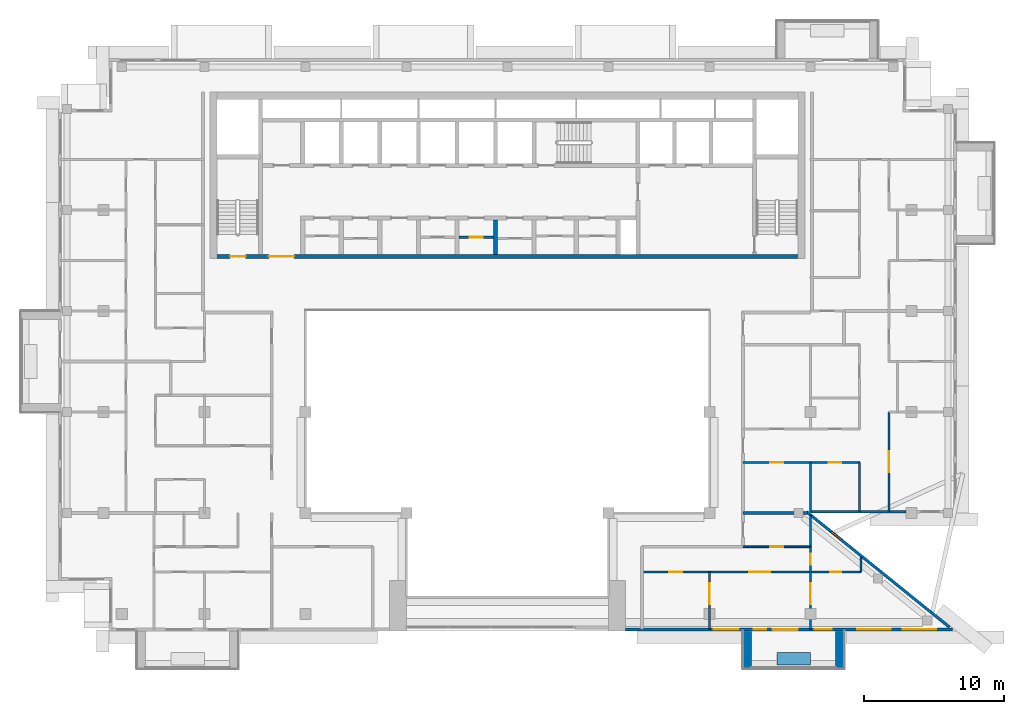
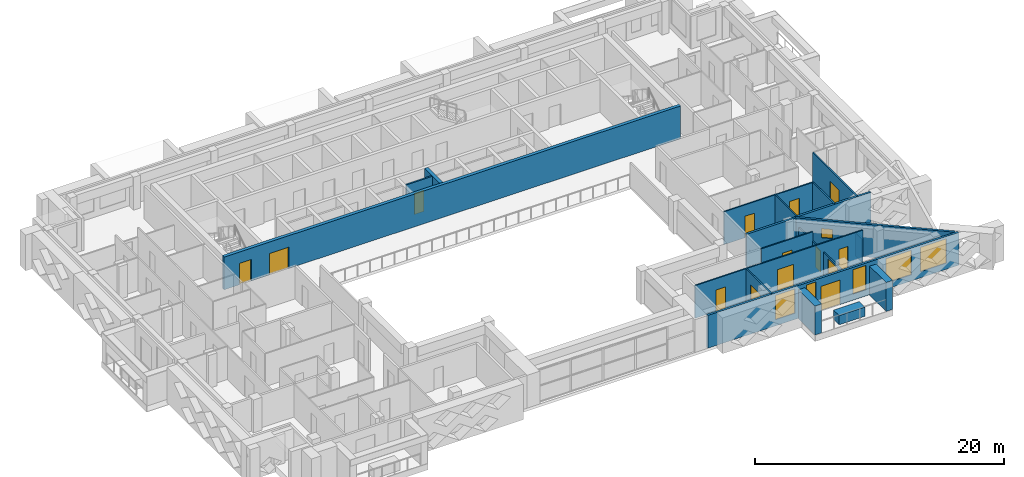
# One storey, part 8 of 19: 19 walls, 14 doors, 6 windows, 20 openings.
"""IFC4 building model written with IfcOpenShell, lengths in metres."""

from ifc_helpers import new_model, si_unit, direction, frame, frame_2d, origin, place, context, subcontext, project, spatial, rectangle, extrude, material, layer, layer_set, type_object, element, fill, save


model = new_model("IFC4")

# Units and contexts
model_context = context("Model", 3, precision=1e-05, world=origin(), true_north=direction((0.0, 1.0)))
body_context = subcontext(model_context, "Body", "Model", "MODEL_VIEW")
ifc_project = project(units=[si_unit("LENGTHUNIT", "METRE"), si_unit("AREAUNIT", "SQUARE_METRE"), si_unit("VOLUMEUNIT", "CUBIC_METRE"), si_unit("PLANEANGLEUNIT", "RADIAN"), si_unit("MASSUNIT", "GRAM", prefix="KILO")], contexts=[model_context])

# Site, building, storey
site_placement = place(None, origin())
site = spatial("IfcSite", under=ifc_project, at=site_placement, CompositionType="ELEMENT")
building_placement = place(site_placement, origin())
building = spatial("IfcBuilding", under=site, at=building_placement, Name="Saffron Iwan Residences", CompositionType="ELEMENT")
storey_placement = place(building_placement, frame((0.0, 0.0, 236.0)))
storey = spatial("IfcBuildingStorey", under=building, at=storey_placement, Name="L63", CompositionType="ELEMENT", Elevation=236.0)

# Walls
ifc_material_1 = material(Name="Concrete C50/60 white painted", Category="concrete")
ifc_layer_1 = layer(ifc_material_1, 0.60009765625)
ifc_layer_set_1 = layer_set([ifc_layer_1], Name="Concrete C50/60 white painted")
wall_type_1 = type_object("IfcWallType", Name="BALCONY FIN 600", PredefinedType="SOLIDWALL", material=ifc_layer_set_1)
for number, where, z_axis, x_axis, name in (
    (1, (67.5, 39.550048828125, 0.0), (0.0, 0.0, 1.0), (0.0, -1.0, 0.0), "Balcony fin L63 11-1a"),
    (2, (74.10009765625, 39.550048828125, 0.0), (0.0, 0.0, 1.0), (0.0, -1.0, 0.0), "Balcony fin L63 11-1b"),
):
    element("IfcWall", number, at=place(storey_placement, frame(where, z_axis=z_axis, x_axis=x_axis)), inside=storey, type_object=wall_type_1, Name=name, PredefinedType="SOLIDWALL", context=body_context, shape_type="SweptSolid", body=[
        extrude(rectangle(XDim=2.650146484375, YDim=0.60009765625, at=frame_2d((1.3251953125, 0.0))), origin(), (0.0, 0.0, 1.0), 2.85009765625),
    ])
ifc_material_2 = material(Name="Concrete C35/45 white painted", Category="concrete")
ifc_layer_2 = layer(ifc_material_2, 0.14990234375)
ifc_layer_set_2 = layer_set([ifc_layer_2], Name="Concrete C35/45 white painted")
wall_type_2 = type_object("IfcWallType", Name="BALCONY PLANTER", PredefinedType="SOLIDWALL", material=ifc_layer_set_2)
wall_1_placement = place(storey_placement, frame((69.60009765625, 37.625, 0.0), z_axis=(0.0, 0.0, 1.0), x_axis=(1.0, 0.0, 0.0)))
element("IfcWall", 3, at=wall_1_placement, inside=storey, type_object=wall_type_2, Name="PLANTER L63 11-1", PredefinedType="SOLIDWALL", context=body_context, shape_type="SweptSolid", body=[
    extrude(rectangle(XDim=2.39990234375, YDim=0.89990234375, at=frame_2d((1.199951171875, 0.0))), origin(), (0.0, 0.0, 1.0), 0.89990234375),
])

# Wall, opening, door
ifc_material_3 = material(Name="Fire-rated plasterboard partition")
ifc_layer_3 = layer(ifc_material_3, 0.14990234375)
ifc_layer_set_3 = layer_set([ifc_layer_3], Name="Fire-rated plasterboard partition")
wall_type_3 = type_object("IfcWallType", Name="Core partition 150", PredefinedType="PARTITIONING", material=ifc_layer_set_3)
wall_2_placement = place(storey_placement, frame((46.949951171875, 67.66259765625, 0.0), z_axis=(0.0, 0.0, 1.0), x_axis=(1.0, 0.0, 0.0)))
wall_2 = element("IfcWall", 4, at=wall_2_placement, inside=storey, type_object=wall_type_3, Name="Core partition P04", PredefinedType="PARTITIONING", context=body_context, shape_type="SweptSolid", body=[
    extrude(rectangle(XDim=2.449951171875, YDim=0.14990234375, at=frame_2d((1.22509765625, 0.0))), origin(), (0.0, 0.0, 1.0), 3.219970703125),
])
opening_1_placement = place(wall_2_placement, frame((0.77490234375, 0.0, 0.0)))
opening_1 = element("IfcOpeningElement", 5, at=opening_1_placement, cuts=wall_2, Name="Opening SB", PredefinedType="OPENING", context=body_context, shape_type="SweptSolid", body=[
    extrude(rectangle(XDim=0.89990234375, YDim=2.10009765625, at=frame_2d((0.449951171875, 1.050048828125))), frame((0.0, 0.0849609375, 0.0), z_axis=(0.0, -1.0, 0.0), x_axis=(1.0, 0.0, 0.0)), (0.0, 0.0, 1.0), 0.169921875),
])
ifc_material_4 = material(Name="Steel fire door", Category="steel")
door_type_1 = type_object("IfcDoorType", Name="Store door 900", OperationType="NOTDEFINED", PredefinedType="DOOR", material=ifc_material_4)
door_1_placement = place(opening_1_placement, origin())
door_1 = element("IfcDoor", 6, at=door_1_placement, inside=storey, type_object=door_type_1, Name="Door Mop store", OperationType="SINGLE_SWING_RIGHT", OverallHeight=2.10009765625, OverallWidth=0.89990234375, PredefinedType="DOOR", context=body_context, shape_type="SweptSolid", body=[
    extrude(rectangle(XDim=0.89990234375, YDim=2.10009765625, at=frame_2d((0.449951171875, 1.050048828125))), frame((0.0, 0.02490234375, 0.0), z_axis=(0.0, -1.0, 0.0), x_axis=(1.0, 0.0, 0.0)), (0.0, 0.0, 1.0), 0.050048828125),
])
fill(opening_1, door_1)

# Wall, opening, window
ifc_material_5 = material(Name="Concrete C40/50", Category="concrete")
ifc_layer_4 = layer(ifc_material_5, 0.199951171875)
ifc_layer_set_4 = layer_set([ifc_layer_4], Name="Concrete C40/50")
wall_type_4 = type_object("IfcWallType", Name="EXTERNAL WALL 200", PredefinedType="SOLIDWALL", material=ifc_layer_set_4)
wall_3_placement = place(storey_placement, frame((81.906982421875, 39.86962890625, 0.0), z_axis=(0.0, 0.0, 1.0), x_axis=(-0.777936274417, 0.62834318087, 0.0)))
wall_3 = element("IfcWall", 7, at=wall_3_placement, inside=storey, type_object=wall_type_4, Name="External wall L63 F0.0", PredefinedType="SOLIDWALL", context=body_context, shape_type="SweptSolid", body=[
    extrude(rectangle(XDim=13.0986328125, YDim=0.199951171875, at=frame_2d((6.54931640625, 0.0))), origin(), (0.0, 0.0, 1.0), 3.219970703125),
])
opening_2_placement = place(wall_3_placement, frame((9.9384765625, 0.0, 1.5)))
opening_2 = element("IfcOpeningElement", 8, at=opening_2_placement, cuts=wall_3, Name="Opening W6", PredefinedType="OPENING", context=body_context, shape_type="SweptSolid", body=[
    extrude(rectangle(XDim=0.89990234375, YDim=0.89990234375, at=frame_2d((0.449951171875, 0.449951171875))), frame((0.0, 0.10986328125, 0.0), z_axis=(0.0, -1.0, 0.0), x_axis=(1.0, 0.0, 0.0)), (0.0, 0.0, 1.0), 0.219970703125),
])
ifc_material_6 = material(Name="Clear glass, laminated double glazed", Category="glass")
window_type_1 = type_object("IfcWindowType", Name="WINDOW 900 x 900 BATH", PartitioningType="SINGLE_PANEL", PredefinedType="WINDOW", material=ifc_material_6)
window_1_placement = place(opening_2_placement, origin())
window_1 = element("IfcWindow", 9, at=window_1_placement, inside=storey, type_object=window_type_1, Name="Window L63 F0.0", OverallHeight=0.89990234375, OverallWidth=0.89990234375, PartitioningType="SINGLE_PANEL", PredefinedType="WINDOW", context=body_context, shape_type="SweptSolid", body=[
    extrude(rectangle(XDim=0.89990234375, YDim=0.89990234375, at=frame_2d((0.449951171875, 0.449951171875))), frame((0.0, 0.030029296875, 0.0), z_axis=(0.0, -1.0, 0.0), x_axis=(1.0, 0.0, 0.0)), (0.0, 0.0, 1.0), 0.06005859375),
])
fill(opening_2, window_1)

# Wall
wall_4_placement = place(storey_placement, frame((71.987060546875, 48.10009765625, 0.0), z_axis=(0.0, 0.0, 1.0), x_axis=(1.0, 0.0, 0.0)))
element("IfcWall", 10, at=wall_4_placement, inside=storey, type_object=wall_type_4, Name="External wall L63 F1.0", PredefinedType="SOLIDWALL", context=body_context, shape_type="SweptSolid", body=[
    extrude(rectangle(XDim=6.81298828125, YDim=0.199951171875, at=frame_2d((3.406494140625, 0.0))), origin(), (0.0, 0.0, 1.0), 3.219970703125),
])

# Wall, openings, door, windows
wall_5_placement = place(storey_placement, frame((58.800048828125, 39.699951171875, 0.0), z_axis=(0.0, 0.0, 1.0), x_axis=(1.0, 0.0, 0.0)))
wall_5 = element("IfcWall", 11, at=wall_5_placement, inside=storey, type_object=wall_type_4, Name="External wall L63 F11.1", PredefinedType="SOLIDWALL", context=body_context, shape_type="SweptSolid", body=[
    extrude(rectangle(XDim=23.31689453125, YDim=0.199951171875, at=frame_2d((11.658447265625, 0.0))), origin(), (0.0, 0.0, 1.0), 3.219970703125),
])
opening_3_placement = place(wall_5_placement, frame((10.5, 0.0, 0.0)))
opening_3 = element("IfcOpeningElement", 12, at=opening_3_placement, cuts=wall_5, Name="Opening BD1", PredefinedType="OPENING", context=body_context, shape_type="SweptSolid", body=[
    extrude(rectangle(XDim=1.800048828125, YDim=2.39990234375, at=frame_2d((0.89990234375, 1.199951171875))), frame((0.0, 0.10986328125, 0.0), z_axis=(0.0, -1.0, 0.0), x_axis=(1.0, 0.0, 0.0)), (0.0, 0.0, 1.0), 0.219970703125),
])
opening_4_placement = place(wall_5_placement, frame((6.300048828125, 0.0, 0.60009765625)))
opening_4 = element("IfcOpeningElement", 13, at=opening_4_placement, cuts=wall_5, Name="Opening W8", PredefinedType="OPENING", context=body_context, shape_type="SweptSolid", body=[
    extrude(rectangle(XDim=1.800048828125, YDim=2.39990234375, at=frame_2d((0.89990234375, 1.199951171875))), frame((0.0, 0.10986328125, 0.0), z_axis=(0.0, -1.0, 0.0), x_axis=(1.0, 0.0, 0.0)), (0.0, 0.0, 1.0), 0.219970703125),
])
opening_5_placement = place(wall_5_placement, frame((9.14990234375, 0.0, 0.60009765625)))
opening_5 = element("IfcOpeningElement", 14, at=opening_5_placement, cuts=wall_5, Name="Opening W10", PredefinedType="OPENING", context=body_context, shape_type="SweptSolid", body=[
    extrude(rectangle(XDim=0.89990234375, YDim=2.39990234375, at=frame_2d((0.449951171875, 1.199951171875))), frame((0.0, 0.10986328125, 0.0), z_axis=(0.0, -1.0, 0.0), x_axis=(1.0, 0.0, 0.0)), (0.0, 0.0, 1.0), 0.219970703125),
])
opening_6_placement = place(wall_5_placement, frame((13.5, 0.0, 0.60009765625)))
opening_6 = element("IfcOpeningElement", 15, at=opening_6_placement, cuts=wall_5, Name="Opening W3", PredefinedType="OPENING", context=body_context, shape_type="SweptSolid", body=[
    extrude(rectangle(XDim=1.199951171875, YDim=2.39990234375, at=frame_2d((0.60009765625, 1.199951171875))), frame((0.0, 0.10986328125, 0.0), z_axis=(0.0, -1.0, 0.0), x_axis=(1.0, 0.0, 0.0)), (0.0, 0.0, 1.0), 0.219970703125),
])
opening_7_placement = place(wall_5_placement, frame((16.5390625, 0.0, 0.60009765625)))
opening_7 = element("IfcOpeningElement", 16, at=opening_7_placement, cuts=wall_5, Name="Opening W1", PredefinedType="OPENING", context=body_context, shape_type="SweptSolid", body=[
    extrude(rectangle(XDim=2.39990234375, YDim=2.39990234375, at=frame_2d((1.199951171875, 1.199951171875))), frame((0.0, 0.10986328125, 0.0), z_axis=(0.0, -1.0, 0.0), x_axis=(1.0, 0.0, 0.0)), (0.0, 0.0, 1.0), 0.219970703125),
])
opening_8_placement = place(wall_5_placement, frame((19.778076171875, 0.0, 0.60009765625)))
opening_8 = element("IfcOpeningElement", 17, at=opening_8_placement, cuts=wall_5, Name="Opening W1", PredefinedType="OPENING", context=body_context, shape_type="SweptSolid", body=[
    extrude(rectangle(XDim=2.39990234375, YDim=2.39990234375, at=frame_2d((1.199951171875, 1.199951171875))), frame((0.0, 0.10986328125, 0.0), z_axis=(0.0, -1.0, 0.0), x_axis=(1.0, 0.0, 0.0)), (0.0, 0.0, 1.0), 0.219970703125),
])
door_type_2 = type_object("IfcDoorType", Name="BALCONY DOOR 1800 x 2400", OperationType="DOUBLE_DOOR_SLIDING", PredefinedType="DOOR", material=ifc_material_6)
door_2_placement = place(opening_3_placement, origin())
door_2 = element("IfcDoor", 18, at=door_2_placement, inside=storey, type_object=door_type_2, Name="Balcony door L63 F11.0", OperationType="DOUBLE_DOOR_SLIDING", OverallHeight=2.39990234375, OverallWidth=1.800048828125, PredefinedType="DOOR", context=body_context, shape_type="SweptSolid", body=[
    extrude(rectangle(XDim=1.800048828125, YDim=2.39990234375, at=frame_2d((0.89990234375, 1.199951171875))), frame((0.0, 0.02490234375, 0.0), z_axis=(0.0, -1.0, 0.0), x_axis=(1.0, 0.0, 0.0)), (0.0, 0.0, 1.0), 0.050048828125),
])
fill(opening_3, door_2)
window_type_2 = type_object("IfcWindowType", Name="WINDOW 1200 x 2400", PartitioningType="SINGLE_PANEL", PredefinedType="WINDOW", material=ifc_material_6)
window_2_placement = place(opening_6_placement, origin())
window_2 = element("IfcWindow", 19, at=window_2_placement, inside=storey, type_object=window_type_2, Name="Window L63 F11.3", OverallHeight=2.39990234375, OverallWidth=1.199951171875, PartitioningType="SINGLE_PANEL", PredefinedType="WINDOW", context=body_context, shape_type="SweptSolid", body=[
    extrude(rectangle(XDim=1.199951171875, YDim=2.39990234375, at=frame_2d((0.60009765625, 1.199951171875))), frame((0.0, 0.030029296875, 0.0), z_axis=(0.0, -1.0, 0.0), x_axis=(1.0, 0.0, 0.0)), (0.0, 0.0, 1.0), 0.06005859375),
])
fill(opening_6, window_2)
window_type_3 = type_object("IfcWindowType", Name="WINDOW 1800 x 2400", PartitioningType="DOUBLE_PANEL_VERTICAL", PredefinedType="WINDOW", material=ifc_material_6)
window_3_placement = place(opening_4_placement, origin())
window_3 = element("IfcWindow", 20, at=window_3_placement, inside=storey, type_object=window_type_3, Name="Window L63 F11.1", OverallHeight=2.39990234375, OverallWidth=1.800048828125, PartitioningType="DOUBLE_PANEL_VERTICAL", PredefinedType="WINDOW", context=body_context, shape_type="SweptSolid", body=[
    extrude(rectangle(XDim=1.800048828125, YDim=2.39990234375, at=frame_2d((0.89990234375, 1.199951171875))), frame((0.0, 0.030029296875, 0.0), z_axis=(0.0, -1.0, 0.0), x_axis=(1.0, 0.0, 0.0)), (0.0, 0.0, 1.0), 0.06005859375),
])
fill(opening_4, window_3)
window_type_4 = type_object("IfcWindowType", Name="WINDOW 2400 x 2400", PartitioningType="DOUBLE_PANEL_VERTICAL", PredefinedType="WINDOW", material=ifc_material_6)
window_4_placement = place(opening_7_placement, origin())
window_4 = element("IfcWindow", 21, at=window_4_placement, inside=storey, type_object=window_type_4, Name="Window L63 F11.4", OverallHeight=2.39990234375, OverallWidth=2.39990234375, PartitioningType="DOUBLE_PANEL_VERTICAL", PredefinedType="WINDOW", context=body_context, shape_type="SweptSolid", body=[
    extrude(rectangle(XDim=2.39990234375, YDim=2.39990234375, at=frame_2d((1.199951171875, 1.199951171875))), frame((0.0, 0.030029296875, 0.0), z_axis=(0.0, -1.0, 0.0), x_axis=(1.0, 0.0, 0.0)), (0.0, 0.0, 1.0), 0.06005859375),
])
fill(opening_7, window_4)
window_5_placement = place(opening_8_placement, origin())
window_5 = element("IfcWindow", 22, at=window_5_placement, inside=storey, type_object=window_type_4, Name="Window L63 F11.5", OverallHeight=2.39990234375, OverallWidth=2.39990234375, PartitioningType="DOUBLE_PANEL_VERTICAL", PredefinedType="WINDOW", context=body_context, shape_type="SweptSolid", body=[
    extrude(rectangle(XDim=2.39990234375, YDim=2.39990234375, at=frame_2d((1.199951171875, 1.199951171875))), frame((0.0, 0.030029296875, 0.0), z_axis=(0.0, -1.0, 0.0), x_axis=(1.0, 0.0, 0.0)), (0.0, 0.0, 1.0), 0.06005859375),
])
fill(opening_8, window_5)
window_type_5 = type_object("IfcWindowType", Name="WINDOW 900 x 2400", PartitioningType="SINGLE_PANEL", PredefinedType="WINDOW", material=ifc_material_6)
window_6_placement = place(opening_5_placement, origin())
window_6 = element("IfcWindow", 23, at=window_6_placement, inside=storey, type_object=window_type_5, Name="Window L63 F11.2", OverallHeight=2.39990234375, OverallWidth=0.89990234375, PartitioningType="SINGLE_PANEL", PredefinedType="WINDOW", context=body_context, shape_type="SweptSolid", body=[
    extrude(rectangle(XDim=0.89990234375, YDim=2.39990234375, at=frame_2d((0.449951171875, 1.199951171875))), frame((0.0, 0.030029296875, 0.0), z_axis=(0.0, -1.0, 0.0), x_axis=(1.0, 0.0, 0.0)), (0.0, 0.0, 1.0), 0.06005859375),
])
fill(opening_5, window_6)

# Wall
ifc_material_7 = material(Name="Fire-rated gypsum board wall")
ifc_layer_5 = layer(ifc_material_7, 0.199951171875)
ifc_layer_set_5 = layer_set([ifc_layer_5], Name="Fire-rated gypsum board wall")
wall_type_5 = type_object("IfcWallType", Name="Flat demising wall 200", PredefinedType="SOLIDWALL", material=ifc_layer_set_5)
wall_6_placement = place(storey_placement, frame((67.199951171875, 48.0, 0.0), z_axis=(0.0, 0.0, 1.0), x_axis=(1.0, 0.0, 0.0)))
element("IfcWall", 24, at=wall_6_placement, inside=storey, type_object=wall_type_5, Name="W-L63-DEMISE-h48-67.2", PredefinedType="SOLIDWALL", context=body_context, shape_type="SweptSolid", body=[
    extrude(rectangle(XDim=4.60107421875, YDim=0.199951171875, at=frame_2d((2.300537109375, 0.0))), origin(), (0.0, 0.0, 1.0), 3.219970703125),
])

# Wall, openings, doors
ifc_material_8 = material(Name="Gypsum board partition")
ifc_layer_6 = layer(ifc_material_8, 0.1201171875)
ifc_layer_set_6 = layer_set([ifc_layer_6], Name="Gypsum board partition")
wall_type_6 = type_object("IfcWallType", Name="Flat partition 120", PredefinedType="PARTITIONING", material=ifc_layer_set_6)
wall_7_placement = place(storey_placement, frame((60.0, 43.800048828125, 0.0), z_axis=(0.0, 0.0, 1.0), x_axis=(1.0, 0.0, 0.0)))
wall_7 = element("IfcWall", 25, at=wall_7_placement, inside=storey, type_object=wall_type_6, Name="W-L63-PART-h43.8-60", PredefinedType="PARTITIONING", context=body_context, shape_type="SweptSolid", body=[
    extrude(rectangle(XDim=15.60009765625, YDim=0.1201171875, at=frame_2d((7.800048828125, 0.0))), origin(), (0.0, 0.0, 1.0), 3.219970703125),
])
opening_9_placement = place(wall_7_placement, frame((7.64990234375, 0.0, 0.0)))
opening_9 = element("IfcOpeningElement", 26, at=opening_9_placement, cuts=wall_7, Name="Opening FD4", PredefinedType="OPENING", context=body_context, shape_type="SweptSolid", body=[
    extrude(rectangle(XDim=1.5, YDim=2.10009765625, at=frame_2d((0.75, 1.050048828125))), frame((0.0, 0.070068359375, 0.0), z_axis=(0.0, -1.0, 0.0), x_axis=(1.0, 0.0, 0.0)), (0.0, 0.0, 1.0), 0.14013671875),
])
opening_10_placement = place(wall_7_placement, frame((1.949951171875, 0.0, 0.0)))
opening_10 = element("IfcOpeningElement", 27, at=opening_10_placement, cuts=wall_7, Name="Opening FD2", PredefinedType="OPENING", context=body_context, shape_type="SweptSolid", body=[
    extrude(rectangle(XDim=0.89990234375, YDim=2.10009765625, at=frame_2d((0.449951171875, 1.050048828125))), frame((0.0, 0.070068359375, 0.0), z_axis=(0.0, -1.0, 0.0), x_axis=(1.0, 0.0, 0.0)), (0.0, 0.0, 1.0), 0.14013671875),
])
opening_11_placement = place(wall_7_placement, frame((13.39990234375, 0.0, 0.0)))
opening_11 = element("IfcOpeningElement", 28, at=opening_11_placement, cuts=wall_7, Name="Opening FD3", PredefinedType="OPENING", context=body_context, shape_type="SweptSolid", body=[
    extrude(rectangle(XDim=0.800048828125, YDim=2.10009765625, at=frame_2d((0.39990234375, 1.050048828125))), frame((0.0, 0.070068359375, 0.0), z_axis=(0.0, -1.0, 0.0), x_axis=(1.0, 0.0, 0.0)), (0.0, 0.0, 1.0), 0.14013671875),
])
ifc_material_9 = material(Name="Timber door", Category="wood")
door_type_3 = type_object("IfcDoorType", Name="Bathroom door 800", OperationType="NOTDEFINED", PredefinedType="DOOR", material=ifc_material_9)
door_3_placement = place(opening_11_placement, origin())
door_3 = element("IfcDoor", 29, at=door_3_placement, inside=storey, type_object=door_type_3, Name="Door L63-048", OperationType="SINGLE_SWING_LEFT", OverallHeight=2.10009765625, OverallWidth=0.800048828125, PredefinedType="DOOR", context=body_context, shape_type="SweptSolid", body=[
    extrude(rectangle(XDim=0.800048828125, YDim=2.10009765625, at=frame_2d((0.39990234375, 1.050048828125))), frame((0.0, 0.02490234375, 0.0), z_axis=(0.0, -1.0, 0.0), x_axis=(1.0, 0.0, 0.0)), (0.0, 0.0, 1.0), 0.050048828125),
])
fill(opening_11, door_3)
door_type_4 = type_object("IfcDoorType", Name="Double door 1500", OperationType="NOTDEFINED", PredefinedType="DOOR", material=ifc_material_9)
door_4_placement = place(opening_9_placement, origin())
door_4 = element("IfcDoor", 30, at=door_4_placement, inside=storey, type_object=door_type_4, Name="Door L63-044", OperationType="SINGLE_SWING_LEFT", OverallHeight=2.10009765625, OverallWidth=1.5, PredefinedType="DOOR", context=body_context, shape_type="SweptSolid", body=[
    extrude(rectangle(XDim=1.5, YDim=2.10009765625, at=frame_2d((0.75, 1.050048828125))), frame((0.0, 0.02490234375, 0.0), z_axis=(0.0, -1.0, 0.0), x_axis=(1.0, 0.0, 0.0)), (0.0, 0.0, 1.0), 0.050048828125),
])
fill(opening_9, door_4)
door_type_5 = type_object("IfcDoorType", Name="Flat door 900", OperationType="NOTDEFINED", PredefinedType="DOOR", material=ifc_material_9)
door_5_placement = place(opening_10_placement, origin())
door_5 = element("IfcDoor", 31, at=door_5_placement, inside=storey, type_object=door_type_5, Name="Door L63-045", OperationType="SINGLE_SWING_LEFT", OverallHeight=2.10009765625, OverallWidth=0.89990234375, PredefinedType="DOOR", context=body_context, shape_type="SweptSolid", body=[
    extrude(rectangle(XDim=0.89990234375, YDim=2.10009765625, at=frame_2d((0.449951171875, 1.050048828125))), frame((0.0, 0.02490234375, 0.0), z_axis=(0.0, -1.0, 0.0), x_axis=(1.0, 0.0, 0.0)), (0.0, 0.0, 1.0), 0.050048828125),
])
fill(opening_10, door_5)

# Wall, opening, door
wall_8_placement = place(storey_placement, frame((67.199951171875, 45.60009765625, 0.0), z_axis=(0.0, 0.0, 1.0), x_axis=(1.0, 0.0, 0.0)))
wall_8 = element("IfcWall", 32, at=wall_8_placement, inside=storey, type_object=wall_type_6, Name="W-L63-PART-h45.6-67.2", PredefinedType="PARTITIONING", context=body_context, shape_type="SweptSolid", body=[
    extrude(rectangle(XDim=4.800048828125, YDim=0.1201171875, at=frame_2d((2.39990234375, 0.0))), origin(), (0.0, 0.0, 1.0), 3.219970703125),
])
opening_12_placement = place(wall_8_placement, frame((1.949951171875, 0.0, 0.0)))
opening_12 = element("IfcOpeningElement", 33, at=opening_12_placement, cuts=wall_8, Name="Opening FD2", PredefinedType="OPENING", context=body_context, shape_type="SweptSolid", body=[
    extrude(rectangle(XDim=0.89990234375, YDim=2.10009765625, at=frame_2d((0.449951171875, 1.050048828125))), frame((0.0, 0.070068359375, 0.0), z_axis=(0.0, -1.0, 0.0), x_axis=(1.0, 0.0, 0.0)), (0.0, 0.0, 1.0), 0.14013671875),
])
door_6_placement = place(opening_12_placement, origin())
door_6 = element("IfcDoor", 34, at=door_6_placement, inside=storey, type_object=door_type_5, Name="Door L63-042", OperationType="SINGLE_SWING_LEFT", OverallHeight=2.10009765625, OverallWidth=0.89990234375, PredefinedType="DOOR", context=body_context, shape_type="SweptSolid", body=[
    extrude(rectangle(XDim=0.89990234375, YDim=2.10009765625, at=frame_2d((0.449951171875, 1.050048828125))), frame((0.0, 0.02490234375, 0.0), z_axis=(0.0, -1.0, 0.0), x_axis=(1.0, 0.0, 0.0)), (0.0, 0.0, 1.0), 0.050048828125),
])
fill(opening_12, door_6)

# Wall, openings, doors
wall_9_placement = place(storey_placement, frame((67.199951171875, 51.60009765625, 0.0), z_axis=(0.0, 0.0, 1.0), x_axis=(1.0, 0.0, 0.0)))
wall_9 = element("IfcWall", 35, at=wall_9_placement, inside=storey, type_object=wall_type_6, Name="W-L63-PART-h51.6-67.2", PredefinedType="PARTITIONING", context=body_context, shape_type="SweptSolid", body=[
    extrude(rectangle(XDim=8.300048828125, YDim=0.1201171875, at=frame_2d((4.14990234375, 0.0))), origin(), (0.0, 0.0, 1.0), 3.219970703125),
])
opening_13_placement = place(wall_9_placement, frame((6.10009765625, 0.0, 0.0)))
opening_13 = element("IfcOpeningElement", 36, at=opening_13_placement, cuts=wall_9, Name="Opening FD2", PredefinedType="OPENING", context=body_context, shape_type="SweptSolid", body=[
    extrude(rectangle(XDim=0.89990234375, YDim=2.10009765625, at=frame_2d((0.449951171875, 1.050048828125))), frame((0.0, 0.070068359375, 0.0), z_axis=(0.0, -1.0, 0.0), x_axis=(1.0, 0.0, 0.0)), (0.0, 0.0, 1.0), 0.14013671875),
])
opening_14_placement = place(wall_9_placement, frame((1.949951171875, 0.0, 0.0)))
opening_14 = element("IfcOpeningElement", 37, at=opening_14_placement, cuts=wall_9, Name="Opening FD2", PredefinedType="OPENING", context=body_context, shape_type="SweptSolid", body=[
    extrude(rectangle(XDim=0.89990234375, YDim=2.10009765625, at=frame_2d((0.449951171875, 1.050048828125))), frame((0.0, 0.070068359375, 0.0), z_axis=(0.0, -1.0, 0.0), x_axis=(1.0, 0.0, 0.0)), (0.0, 0.0, 1.0), 0.14013671875),
])
door_7_placement = place(opening_13_placement, origin())
door_7 = element("IfcDoor", 38, at=door_7_placement, inside=storey, type_object=door_type_5, Name="Door L63-018", OperationType="SINGLE_SWING_LEFT", OverallHeight=2.10009765625, OverallWidth=0.89990234375, PredefinedType="DOOR", context=body_context, shape_type="SweptSolid", body=[
    extrude(rectangle(XDim=0.89990234375, YDim=2.10009765625, at=frame_2d((0.449951171875, 1.050048828125))), frame((0.0, 0.02490234375, 0.0), z_axis=(0.0, -1.0, 0.0), x_axis=(1.0, 0.0, 0.0)), (0.0, 0.0, 1.0), 0.050048828125),
])
fill(opening_13, door_7)
door_8_placement = place(opening_14_placement, origin())
door_8 = element("IfcDoor", 39, at=door_8_placement, inside=storey, type_object=door_type_5, Name="Door L63-021", OperationType="SINGLE_SWING_LEFT", OverallHeight=2.10009765625, OverallWidth=0.89990234375, PredefinedType="DOOR", context=body_context, shape_type="SweptSolid", body=[
    extrude(rectangle(XDim=0.89990234375, YDim=2.10009765625, at=frame_2d((0.449951171875, 1.050048828125))), frame((0.0, 0.02490234375, 0.0), z_axis=(0.0, -1.0, 0.0), x_axis=(1.0, 0.0, 0.0)), (0.0, 0.0, 1.0), 0.050048828125),
])
fill(opening_14, door_8)

# Wall, opening, door
wall_10_placement = place(storey_placement, frame((64.800048828125, 39.72509765625, 0.0), z_axis=(0.0, 0.0, 1.0), x_axis=(0.0, 1.0, 0.0)))
wall_10 = element("IfcWall", 40, at=wall_10_placement, inside=storey, type_object=wall_type_6, Name="W-L63-PART-v64.8-39.725", PredefinedType="PARTITIONING", context=body_context, shape_type="SweptSolid", body=[
    extrude(rectangle(XDim=4.074951171875, YDim=0.1201171875, at=frame_2d((2.03759765625, 0.0))), origin(), (0.0, 0.0, 1.0), 3.219970703125),
])
opening_15_placement = place(wall_10_placement, frame((1.78759765625, 0.0, 0.0)))
opening_15 = element("IfcOpeningElement", 41, at=opening_15_placement, cuts=wall_10, Name="Opening FD4", PredefinedType="OPENING", context=body_context, shape_type="SweptSolid", body=[
    extrude(rectangle(XDim=1.5, YDim=2.10009765625, at=frame_2d((0.75, 1.050048828125))), frame((0.0, 0.070068359375, 0.0), z_axis=(0.0, -1.0, 0.0), x_axis=(1.0, 0.0, 0.0)), (0.0, 0.0, 1.0), 0.14013671875),
])
door_9_placement = place(opening_15_placement, origin())
door_9 = element("IfcDoor", 42, at=door_9_placement, inside=storey, type_object=door_type_4, Name="Door L63-041", OperationType="SINGLE_SWING_RIGHT", OverallHeight=2.10009765625, OverallWidth=1.5, PredefinedType="DOOR", context=body_context, shape_type="SweptSolid", body=[
    extrude(rectangle(XDim=1.5, YDim=2.10009765625, at=frame_2d((0.75, 1.050048828125))), frame((0.0, 0.02490234375, 0.0), z_axis=(0.0, -1.0, 0.0), x_axis=(1.0, 0.0, 0.0)), (0.0, 0.0, 1.0), 0.050048828125),
])
fill(opening_15, door_9)

# Wall, openings, doors
wall_11_placement = place(storey_placement, frame((72.0, 39.72509765625, 0.0), z_axis=(0.0, 0.0, 1.0), x_axis=(0.0, 1.0, 0.0)))
wall_11 = element("IfcWall", 43, at=wall_11_placement, inside=storey, type_object=wall_type_6, Name="W-L63-PART-v72-39.725", PredefinedType="PARTITIONING", context=body_context, shape_type="SweptSolid", body=[
    extrude(rectangle(XDim=8.114013671875, YDim=0.1201171875, at=frame_2d((4.05712890625, 0.0))), origin(), (0.0, 0.0, 1.0), 2.320068359375),
])
opening_16_placement = place(wall_11_placement, frame((1.78759765625, 0.0, 0.0)))
opening_16 = element("IfcOpeningElement", 44, at=opening_16_placement, cuts=wall_11, Name="Opening FD4", PredefinedType="OPENING", context=body_context, shape_type="SweptSolid", body=[
    extrude(rectangle(XDim=1.5, YDim=2.10009765625, at=frame_2d((0.75, 1.050048828125))), frame((0.0, 0.070068359375, 0.0), z_axis=(0.0, -1.0, 0.0), x_axis=(1.0, 0.0, 0.0)), (0.0, 0.0, 1.0), 0.14013671875),
])
opening_17_placement = place(wall_11_placement, frame((4.574951171875, 0.0, 0.0)))
opening_17 = element("IfcOpeningElement", 45, at=opening_17_placement, cuts=wall_11, Name="Opening FD3", PredefinedType="OPENING", context=body_context, shape_type="SweptSolid", body=[
    extrude(rectangle(XDim=0.800048828125, YDim=2.10009765625, at=frame_2d((0.39990234375, 1.050048828125))), frame((0.0, 0.070068359375, 0.0), z_axis=(0.0, -1.0, 0.0), x_axis=(1.0, 0.0, 0.0)), (0.0, 0.0, 1.0), 0.14013671875),
])
door_10_placement = place(opening_17_placement, origin())
door_10 = element("IfcDoor", 46, at=door_10_placement, inside=storey, type_object=door_type_3, Name="Door L63-047", OperationType="SINGLE_SWING_LEFT", OverallHeight=2.10009765625, OverallWidth=0.800048828125, PredefinedType="DOOR", context=body_context, shape_type="SweptSolid", body=[
    extrude(rectangle(XDim=0.800048828125, YDim=2.10009765625, at=frame_2d((0.39990234375, 1.050048828125))), frame((0.0, 0.02490234375, 0.0), z_axis=(0.0, -1.0, 0.0), x_axis=(1.0, 0.0, 0.0)), (0.0, 0.0, 1.0), 0.050048828125),
])
fill(opening_17, door_10)
door_11_placement = place(opening_16_placement, origin())
door_11 = element("IfcDoor", 47, at=door_11_placement, inside=storey, type_object=door_type_4, Name="Door L63-046", OperationType="SINGLE_SWING_LEFT", OverallHeight=2.10009765625, OverallWidth=1.5, PredefinedType="DOOR", context=body_context, shape_type="SweptSolid", body=[
    extrude(rectangle(XDim=1.5, YDim=2.10009765625, at=frame_2d((0.75, 1.050048828125))), frame((0.0, 0.02490234375, 0.0), z_axis=(0.0, -1.0, 0.0), x_axis=(1.0, 0.0, 0.0)), (0.0, 0.0, 1.0), 0.050048828125),
])
fill(opening_16, door_11)

# Walls
for number, where, z_axis, x_axis, name in (
    (48, (72.0, 48.125, 0.0), (0.0, 0.0, 1.0), (0.0, 1.0, 0.0), "W-L63-PART-v72-48.125"),
    (49, (75.5, 48.125, 0.0), (0.0, 0.0, 1.0), (0.0, 1.0, 0.0), "W-L63-PART-v75.5-48.125"),
):
    element("IfcWall", number, at=place(storey_placement, frame(where, z_axis=z_axis, x_axis=x_axis)), inside=storey, type_object=wall_type_6, Name=name, PredefinedType="PARTITIONING", context=body_context, shape_type="SweptSolid", body=[
        extrude(rectangle(XDim=3.47509765625, YDim=0.1201171875, at=frame_2d((1.737548828125, 0.0))), origin(), (0.0, 0.0, 1.0), 3.219970703125),
    ])
wall_12_placement = place(storey_placement, frame((75.60009765625, 43.800048828125, 0.0), z_axis=(0.0, 0.0, 1.0), x_axis=(0.0, 1.0, 0.0)))
element("IfcWall", 50, at=wall_12_placement, inside=storey, type_object=wall_type_6, Name="W-L63-PART-v75.6-43.8", PredefinedType="PARTITIONING", context=body_context, shape_type="SweptSolid", body=[
    extrude(rectangle(XDim=1.03515625, YDim=0.1201171875, at=frame_2d((0.517578125, 0.0))), origin(), (0.0, 0.0, 1.0), 2.320068359375),
])

# Wall, opening, door
wall_13_placement = place(storey_placement, frame((77.60009765625, 48.125, 0.0), z_axis=(0.0, 0.0, 1.0), x_axis=(0.0, 1.0, 0.0)))
wall_13 = element("IfcWall", 51, at=wall_13_placement, inside=storey, type_object=wall_type_6, Name="W-L63-PART-v77.6-48.125", PredefinedType="PARTITIONING", context=body_context, shape_type="SweptSolid", body=[
    extrude(rectangle(XDim=7.074951171875, YDim=0.1201171875, at=frame_2d((3.53759765625, 0.0))), origin(), (0.0, 0.0, 1.0), 3.219970703125),
])
opening_18_placement = place(wall_13_placement, frame((2.78759765625, 0.0, 0.0)))
opening_18 = element("IfcOpeningElement", 52, at=opening_18_placement, cuts=wall_13, Name="Opening FD4", PredefinedType="OPENING", context=body_context, shape_type="SweptSolid", body=[
    extrude(rectangle(XDim=1.5, YDim=2.10009765625, at=frame_2d((0.75, 1.050048828125))), frame((0.0, 0.070068359375, 0.0), z_axis=(0.0, -1.0, 0.0), x_axis=(1.0, 0.0, 0.0)), (0.0, 0.0, 1.0), 0.14013671875),
])
door_12_placement = place(opening_18_placement, origin())
door_12 = element("IfcDoor", 53, at=door_12_placement, inside=storey, type_object=door_type_4, Name="Door L63-015", OperationType="SINGLE_SWING_LEFT", OverallHeight=2.10009765625, OverallWidth=1.5, PredefinedType="DOOR", context=body_context, shape_type="SweptSolid", body=[
    extrude(rectangle(XDim=1.5, YDim=2.10009765625, at=frame_2d((0.75, 1.050048828125))), frame((0.0, 0.02490234375, 0.0), z_axis=(0.0, -1.0, 0.0), x_axis=(1.0, 0.0, 0.0)), (0.0, 0.0, 1.0), 0.050048828125),
])
fill(opening_18, door_12)

# Wall, openings, doors
ifc_layer_7 = layer(ifc_material_5, 0.300048828125)
ifc_layer_set_7 = layer_set([ifc_layer_7], Name="Concrete C40/50")
wall_type_7 = type_object("IfcWallType", Name="WALL CORE 300 C40/50 3220 HIGH", PredefinedType="SHEAR", material=ifc_layer_set_7)
wall_14_placement = place(storey_placement, frame((29.199951171875, 66.300048828125, 0.0), z_axis=(0.0, 0.0, 1.0), x_axis=(1.0, 0.0, 0.0)))
wall_14 = element("IfcWall", 54, at=wall_14_placement, inside=storey, type_object=wall_type_7, Name="Core wall", PredefinedType="SHEAR", context=body_context, shape_type="SweptSolid", body=[
    extrude(rectangle(XDim=42.400146484375, YDim=0.300048828125, at=frame_2d((21.2001953125, 0.0))), origin(), (0.0, 0.0, 1.0), 3.219970703125),
])
opening_19_placement = place(wall_14_placement, frame((1.425048828125, 0.0, 0.0)))
opening_19 = element("IfcOpeningElement", 55, at=opening_19_placement, cuts=wall_14, Name="Opening SD", PredefinedType="OPENING", context=body_context, shape_type="SweptSolid", body=[
    extrude(rectangle(XDim=1.10009765625, YDim=2.10009765625, at=frame_2d((0.550048828125, 1.050048828125))), frame((0.0, 0.16015625, 0.0), z_axis=(0.0, -1.0, 0.0), x_axis=(1.0, 0.0, 0.0)), (0.0, 0.0, 1.0), 0.320068359375),
])
opening_20_placement = place(wall_14_placement, frame((4.199951171875, 0.0, 0.0)))
opening_20 = element("IfcOpeningElement", 56, at=opening_20_placement, cuts=wall_14, Name="Opening DD", PredefinedType="OPENING", context=body_context, shape_type="SweptSolid", body=[
    extrude(rectangle(XDim=1.800048828125, YDim=2.10009765625, at=frame_2d((0.89990234375, 1.050048828125))), frame((0.0, 0.16015625, 0.0), z_axis=(0.0, -1.0, 0.0), x_axis=(1.0, 0.0, 0.0)), (0.0, 0.0, 1.0), 0.320068359375),
])
door_type_6 = type_object("IfcDoorType", Name="Lobby double door 1800", OperationType="DOUBLE_DOOR_SINGLE_SWING", PredefinedType="DOOR", material=ifc_material_4)
door_13_placement = place(opening_20_placement, origin())
door_13 = element("IfcDoor", 57, at=door_13_placement, inside=storey, type_object=door_type_6, Name="Lobby doors", OperationType="DOUBLE_DOOR_SINGLE_SWING", OverallHeight=2.10009765625, OverallWidth=1.800048828125, PredefinedType="DOOR", context=body_context, shape_type="SweptSolid", body=[
    extrude(rectangle(XDim=1.800048828125, YDim=2.10009765625, at=frame_2d((0.89990234375, 1.050048828125))), frame((0.0, 0.02490234375, 0.0), z_axis=(0.0, -1.0, 0.0), x_axis=(1.0, 0.0, 0.0)), (0.0, 0.0, 1.0), 0.050048828125),
])
fill(opening_20, door_13)
door_type_7 = type_object("IfcDoorType", Name="Stair door 1100", OperationType="NOTDEFINED", PredefinedType="DOOR", material=ifc_material_4)
door_14_placement = place(opening_19_placement, origin())
door_14 = element("IfcDoor", 58, at=door_14_placement, inside=storey, type_object=door_type_7, Name="Stair door ST-W", OperationType="SINGLE_SWING_LEFT", OverallHeight=2.10009765625, OverallWidth=1.10009765625, PredefinedType="DOOR", context=body_context, shape_type="SweptSolid", body=[
    extrude(rectangle(XDim=1.10009765625, YDim=2.10009765625, at=frame_2d((0.550048828125, 1.050048828125))), frame((0.0, 0.02490234375, 0.0), z_axis=(0.0, -1.0, 0.0), x_axis=(1.0, 0.0, 0.0)), (0.0, 0.0, 1.0), 0.050048828125),
])
fill(opening_19, door_14)

# Wall
wall_15_placement = place(storey_placement, frame((49.550048828125, 66.449951171875, 0.0), z_axis=(0.0, 0.0, 1.0), x_axis=(0.0, 1.0, 0.0)))
element("IfcWall", 59, at=wall_15_placement, inside=storey, type_object=wall_type_7, Name="Core wall", PredefinedType="SHEAR", context=body_context, shape_type="SweptSolid", body=[
    extrude(rectangle(XDim=2.425048828125, YDim=0.300048828125, at=frame_2d((1.21240234375, 0.0))), origin(), (0.0, 0.0, 1.0), 3.219970703125),
])

save(model, "model.ifc")
